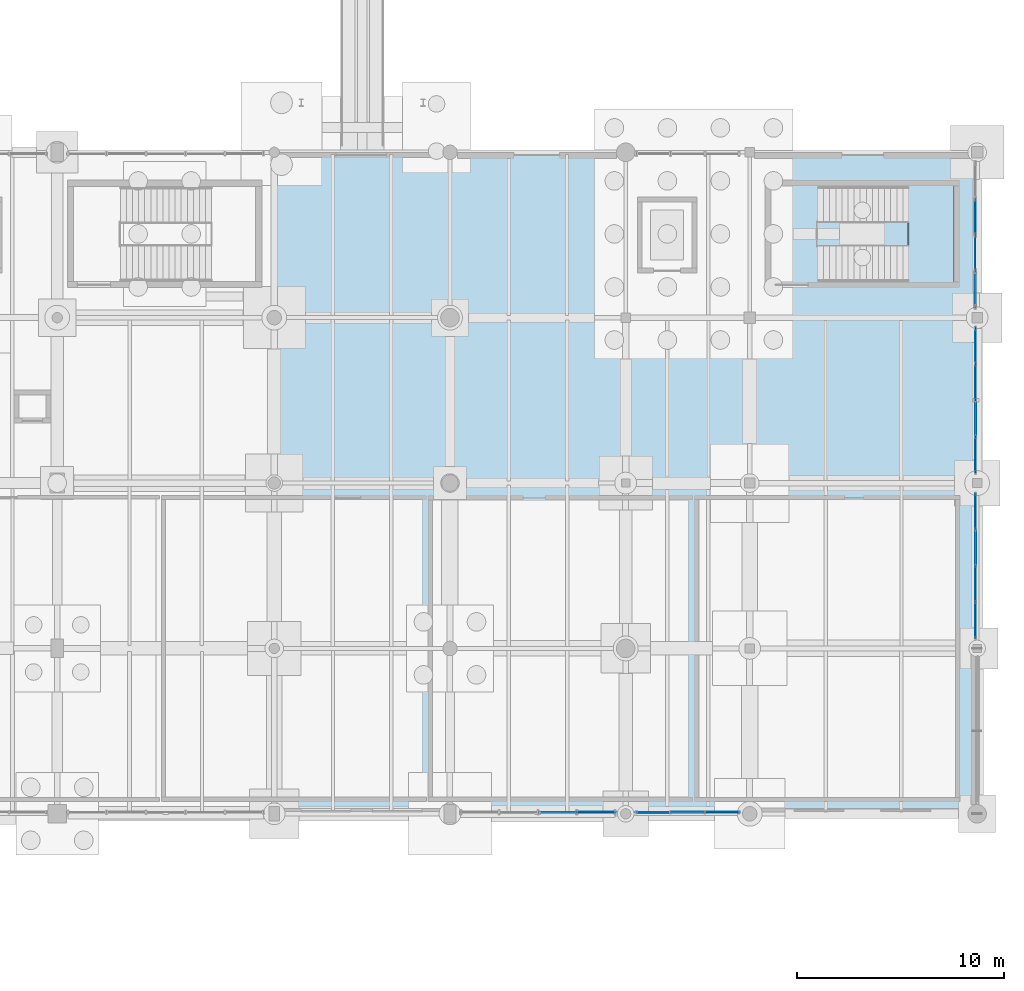
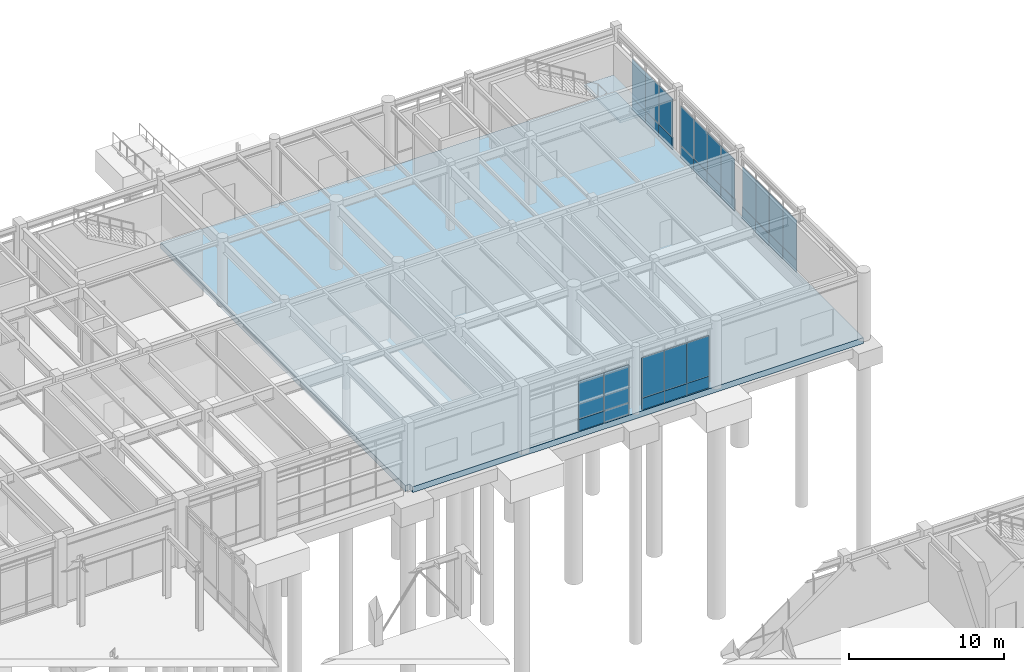
# One storey, part 161 of 203: 32 plates, 2 slabs, 6 elements without a shape of their own.
"""IFC4 building model written with IfcOpenShell, lengths in metres."""

from ifc_helpers import new_model, si_unit, direction, frame, origin, origin_2d, place, context, subcontext, project, spatial, polyline, rectangle, outline, extrude, material, layer, layer_set, type_object, element, aggregate, save


model = new_model("IFC4")

# Units and contexts
model_context = context("Model", 3, precision=1e-05, world=origin(), true_north=direction((0.0, 1.0)))
body_context = subcontext(model_context, "Body", "Model", "MODEL_VIEW")
ifc_project = project(units=[si_unit("LENGTHUNIT", "METRE"), si_unit("AREAUNIT", "SQUARE_METRE"), si_unit("VOLUMEUNIT", "CUBIC_METRE"), si_unit("PLANEANGLEUNIT", "RADIAN"), si_unit("MASSUNIT", "GRAM", prefix="KILO"), si_unit("THERMODYNAMICTEMPERATUREUNIT", "KELVIN"), si_unit("POWERUNIT", "WATT")], contexts=[model_context])

# Site, building, storey
site_placement = place(None, origin())
site = spatial("IfcSite", under=ifc_project, at=site_placement, CompositionType="ELEMENT")
building_placement = place(site_placement, origin())
building = spatial("IfcBuilding", under=site, at=building_placement, Name="Tepalcoro Natatorium and Aquatics Centre", CompositionType="ELEMENT")
storey_placement = place(building_placement, origin())
storey = spatial("IfcBuildingStorey", under=building, at=storey_placement, Name="L00", CompositionType="ELEMENT", Elevation=0.0)

# Curtain wall, plate
ifc_material_1 = material(Name="Bronze-Anodised Extruded Aluminium Alloy EN AW-6063 T6", Category="aluminium")
curtain_wall_type_1 = type_object("IfcCurtainWallType", Name="CW_LEAN_T1_EW", PredefinedType="USERDEFINED", material=ifc_material_1)
curtain_wall_1_placement = place(storey_placement, origin())
curtain_wall_1 = element("IfcCurtainWall", 1, at=curtain_wall_1_placement, inside=storey, type_object=curtain_wall_type_1, Name="V5 L00 S Unitised Curtain Wall Bay 7", ObjectType="FACETED SOLAR GLAZING", PredefinedType="USERDEFINED")
ifc_material_2 = material(Name="Solar-Control Bronze Tempered Low-E Double Glazing", Category="glass")
ifc_layer_1 = layer(ifc_material_2, 0.048095703125)
ifc_layer_set_1 = layer_set([ifc_layer_1], Name="Solar-Control Bronze Tempered Low-E Double Glazing")
plate_type_1 = type_object("IfcPlateType", Name="PL_ACOUSTIC_IGU_48", PredefinedType="CURTAIN_PANEL", material=ifc_layer_set_1)
plate_1_placement = place(storey_placement, frame((157.577392578125, 86.0712890625, 0.9599609375), z_axis=(0.0, 0.0, 1.0), x_axis=(1.0, 0.0, 0.0)))
plate_1 = element("IfcPlate", 2, at=plate_1_placement, type_object=plate_type_1, Name="CW_LEAN_T1_EW Insulated Glazing Unit", PredefinedType="CURTAIN_PANEL", context=body_context, shape_type="SweptSolid", body=[
    extrude(rectangle(XDim=1.864990234375, YDim=0.048095703125, at=origin_2d()), origin(), (0.0, 0.0, 1.0), 2.97802734375),
])

curtain_wall_type_2 = type_object("IfcCurtainWallType", Name="CW_LEAN_T2_NS", PredefinedType="USERDEFINED", material=ifc_material_1)
curtain_wall_2_placement = place(storey_placement, origin())
curtain_wall_2 = element("IfcCurtainWall", 3, at=curtain_wall_2_placement, inside=storey, type_object=curtain_wall_type_2, Name="V5 L00 S Unitised Curtain Wall Bay 8", ObjectType="FACETED SOLAR GLAZING", PredefinedType="USERDEFINED")
plate_2_placement = place(storey_placement, frame((163.679931640625, 86.076171875, 0.9599609375), z_axis=(0.0, 0.0, 1.0), x_axis=(1.0, 0.0, 0.0)))
plate_2 = element("IfcPlate", 4, at=plate_2_placement, type_object=plate_type_1, Name="CW_LEAN_T2_NS Insulated Glazing Unit", PredefinedType="CURTAIN_PANEL", context=body_context, shape_type="SweptSolid", body=[
    extrude(rectangle(XDim=1.659912109375, YDim=0.048095703125, at=origin_2d()), origin(), (0.0, 0.0, 1.0), 3.177001953125),
])

curtain_wall_3_placement = place(storey_placement, origin())
curtain_wall_3 = element("IfcCurtainWall", 5, at=curtain_wall_3_placement, inside=storey, type_object=curtain_wall_type_2, Name="V5 L00 E Unitised Curtain Wall Bay 2", ObjectType="FACETED SOLAR GLAZING", PredefinedType="USERDEFINED")
plate_3_placement = place(storey_placement, frame((175.923828125, 98.8798828125, 0.9599609375), z_axis=(0.0, 0.0, 1.0), x_axis=(1.0, 0.0, 0.0)))
plate_3 = element("IfcPlate", 6, at=plate_3_placement, type_object=plate_type_1, Name="CW_LEAN_T2_NS Insulated Glazing Unit", PredefinedType="CURTAIN_PANEL", context=body_context, shape_type="SweptSolid", body=[
    extrude(rectangle(XDim=0.048095703125, YDim=1.739990234375, at=origin_2d()), origin(), (0.0, 0.0, 1.0), 3.177001953125),
])

curtain_wall_type_3 = type_object("IfcCurtainWallType", Name="CW_LEAN_T2_EW", PredefinedType="USERDEFINED", material=ifc_material_1)
curtain_wall_4_placement = place(storey_placement, origin())
curtain_wall_4 = element("IfcCurtainWall", 7, at=curtain_wall_4_placement, inside=storey, type_object=curtain_wall_type_3, Name="V5 L00 E Unitised Curtain Wall Bay 3", ObjectType="FACETED SOLAR GLAZING", PredefinedType="USERDEFINED")
plate_4_placement = place(storey_placement, frame((175.923828125, 105.1201171875, 0.9599609375), z_axis=(0.0, 0.0, 1.0), x_axis=(1.0, 0.0, 0.0)))
plate_4 = element("IfcPlate", 8, at=plate_4_placement, type_object=plate_type_1, Name="CW_LEAN_T2_EW Insulated Glazing Unit", PredefinedType="CURTAIN_PANEL", context=body_context, shape_type="SweptSolid", body=[
    extrude(rectangle(XDim=0.048095703125, YDim=1.739990234375, at=origin_2d()), origin(), (0.0, 0.0, 1.0), 3.1298828125),
])

curtain_wall_type_4 = type_object("IfcCurtainWallType", Name="CW_V1_PLINTH", PredefinedType="USERDEFINED", material=ifc_material_1)
curtain_wall_5_placement = place(storey_placement, origin())
curtain_wall_5 = element("IfcCurtainWall", 9, at=curtain_wall_5_placement, inside=storey, type_object=curtain_wall_type_4, Name="V5 L00 E Unitised Curtain Wall Bay 4", ObjectType="UNITISED STOREFRONT", PredefinedType="USERDEFINED")
plate_5_placement = place(storey_placement, frame((175.909912109375, 111.360107421875, 0.9599609375), z_axis=(0.0, 0.0, 1.0), x_axis=(1.0, 0.0, 0.0)))
plate_5 = element("IfcPlate", 10, at=plate_5_placement, type_object=plate_type_1, Name="CW_V1_PLINTH Insulated Glazing Unit", PredefinedType="CURTAIN_PANEL", context=body_context, shape_type="SweptSolid", body=[
    extrude(rectangle(XDim=0.048095703125, YDim=1.739990234375, at=origin_2d()), origin(), (0.0, 0.0, 1.0), 3.053955078125),
])

# Plate
ifc_layer_2 = layer(ifc_material_2, 0.028076171875)
ifc_layer_set_2 = layer_set([ifc_layer_2], Name="Solar-Control Bronze Tempered Low-E Double Glazing")
plate_type_2 = type_object("IfcPlateType", Name="PL_BRONZE_IGU_28", PredefinedType="CURTAIN_PANEL", material=ifc_layer_set_2)
plate_6_placement = place(storey_placement, frame((155.6923828125, 86.0712890625, 0.9599609375), z_axis=(0.0, 0.0, 1.0), x_axis=(1.0, 0.0, 0.0)))
plate_6 = element("IfcPlate", 11, at=plate_6_placement, type_object=plate_type_2, Name="CW_LEAN_T1_EW Insulated Glazing Unit", PredefinedType="CURTAIN_PANEL", context=body_context, shape_type="SweptSolid", body=[
    extrude(rectangle(XDim=1.864990234375, YDim=0.028076171875, at=origin_2d()), origin(), (0.0, 0.0, 1.0), 2.97802734375),
])

plate_7_placement = place(storey_placement, frame((162.0, 86.076171875, 0.9599609375), z_axis=(0.0, 0.0, 1.0), x_axis=(1.0, 0.0, 0.0)))
plate_7 = element("IfcPlate", 12, at=plate_7_placement, type_object=plate_type_2, Name="CW_LEAN_T2_NS Insulated Glazing Unit", PredefinedType="CURTAIN_PANEL", context=body_context, shape_type="SweptSolid", body=[
    extrude(rectangle(XDim=1.659912109375, YDim=0.028076171875, at=origin_2d()), origin(), (0.0, 0.0, 1.0), 3.177001953125),
])

plate_8_placement = place(storey_placement, frame((175.923828125, 97.1201171875, 0.9599609375), z_axis=(0.0, 0.0, 1.0), x_axis=(1.0, 0.0, 0.0)))
plate_8 = element("IfcPlate", 13, at=plate_8_placement, type_object=plate_type_2, Name="CW_LEAN_T2_NS Insulated Glazing Unit", PredefinedType="CURTAIN_PANEL", context=body_context, shape_type="SweptSolid", body=[
    extrude(rectangle(XDim=0.028076171875, YDim=1.739990234375, at=origin_2d()), origin(), (0.0, 0.0, 1.0), 3.177001953125),
])

plate_9_placement = place(storey_placement, frame((175.923828125, 103.360107421875, 0.9599609375), z_axis=(0.0, 0.0, 1.0), x_axis=(1.0, 0.0, 0.0)))
plate_9 = element("IfcPlate", 14, at=plate_9_placement, type_object=plate_type_2, Name="CW_LEAN_T2_EW Insulated Glazing Unit", PredefinedType="CURTAIN_PANEL", context=body_context, shape_type="SweptSolid", body=[
    extrude(rectangle(XDim=0.028076171875, YDim=1.739990234375, at=origin_2d()), origin(), (0.0, 0.0, 1.0), 3.1298828125),
])

plate_10_placement = place(storey_placement, frame((175.923828125, 108.639892578125, 0.9599609375), z_axis=(0.0, 0.0, 1.0), x_axis=(1.0, 0.0, 0.0)))
plate_10 = element("IfcPlate", 15, at=plate_10_placement, type_object=plate_type_2, Name="CW_LEAN_T2_EW Insulated Glazing Unit", PredefinedType="CURTAIN_PANEL", context=body_context, shape_type="SweptSolid", body=[
    extrude(rectangle(XDim=0.028076171875, YDim=1.739990234375, at=origin_2d()), origin(), (0.0, 0.0, 1.0), 3.1298828125),
])

plate_11_placement = place(storey_placement, frame((175.909912109375, 114.8798828125, 0.9599609375), z_axis=(0.0, 0.0, 1.0), x_axis=(1.0, 0.0, 0.0)))
plate_11 = element("IfcPlate", 16, at=plate_11_placement, type_object=plate_type_2, Name="CW_V1_PLINTH Insulated Glazing Unit", PredefinedType="CURTAIN_PANEL", context=body_context, shape_type="SweptSolid", body=[
    extrude(rectangle(XDim=0.028076171875, YDim=1.739990234375, at=origin_2d()), origin(), (0.0, 0.0, 1.0), 3.053955078125),
])

ifc_material_3 = material(Name="Jalisco Cantera Rosa Volcanic Tuff Ashlar Masonry", Category="masonry")
ifc_layer_3 = layer(ifc_material_3, 0.090087890625)
ifc_layer_set_3 = layer_set([ifc_layer_3], Name="Jalisco Cantera Rosa Volcanic Tuff Ashlar Masonry")
plate_type_3 = type_object("IfcPlateType", Name="PL_CANTERA_90", PredefinedType="SHEET", material=ifc_layer_set_3)
plate_12_placement = place(storey_placement, frame((160.320068359375, 86.076171875, 0.044921875), z_axis=(0.0, 0.0, 1.0), x_axis=(1.0, 0.0, 0.0)))
plate_12 = element("IfcPlate", 17, at=plate_12_placement, type_object=plate_type_3, Name="CW_LEAN_T2_NS Spandrel & Screen Panel", PredefinedType="SHEET", context=body_context, shape_type="SweptSolid", body=[
    extrude(rectangle(XDim=1.659912109375, YDim=0.090087890625, at=origin_2d()), origin(), (0.0, 0.0, 1.0), 0.909912109375),
])

plate_13_placement = place(storey_placement, frame((175.923828125, 97.1201171875, 0.044921875), z_axis=(0.0, 0.0, 1.0), x_axis=(1.0, 0.0, 0.0)))
plate_13 = element("IfcPlate", 18, at=plate_13_placement, type_object=plate_type_3, Name="CW_LEAN_T2_NS Spandrel & Screen Panel", PredefinedType="SHEET", context=body_context, shape_type="SweptSolid", body=[
    extrude(rectangle(XDim=0.090087890625, YDim=1.739990234375, at=origin_2d()), origin(), (0.0, 0.0, 1.0), 0.909912109375),
])

plate_14_placement = place(storey_placement, frame((175.923828125, 103.360107421875, 0.044921875), z_axis=(0.0, 0.0, 1.0), x_axis=(1.0, 0.0, 0.0)))
plate_14 = element("IfcPlate", 19, at=plate_14_placement, type_object=plate_type_3, Name="CW_LEAN_T2_EW Spandrel & Screen Panel", PredefinedType="SHEET", context=body_context, shape_type="SweptSolid", body=[
    extrude(rectangle(XDim=0.090087890625, YDim=1.739990234375, at=origin_2d()), origin(), (0.0, 0.0, 1.0), 0.909912109375),
])

ifc_material_4 = material(Name="Clear Tempered Low-E Safety Glazing", Category="glass")
ifc_layer_4 = layer(ifc_material_4, 0.011962890625)
ifc_layer_set_4 = layer_set([ifc_layer_4], Name="Clear Tempered Low-E Safety Glazing")
plate_type_4 = type_object("IfcPlateType", Name="PL_GLASS_12", PredefinedType="CURTAIN_PANEL", material=ifc_layer_set_4)
plate_15_placement = place(storey_placement, frame((160.320068359375, 86.076171875, 0.9599609375), z_axis=(0.0, 0.0, 1.0), x_axis=(1.0, 0.0, 0.0)))
plate_15 = element("IfcPlate", 20, at=plate_15_placement, type_object=plate_type_4, Name="CW_LEAN_T2_NS Insulated Glazing Unit", PredefinedType="CURTAIN_PANEL", context=body_context, shape_type="SweptSolid", body=[
    extrude(rectangle(XDim=1.659912109375, YDim=0.011962890625, at=origin_2d()), origin(), (0.0, 0.0, 1.0), 3.177001953125),
])

plate_16_placement = place(storey_placement, frame((175.923828125, 95.360107421875, 0.9599609375), z_axis=(0.0, 0.0, 1.0), x_axis=(1.0, 0.0, 0.0)))
plate_16 = element("IfcPlate", 21, at=plate_16_placement, type_object=plate_type_4, Name="CW_LEAN_T2_NS Insulated Glazing Unit", PredefinedType="CURTAIN_PANEL", context=body_context, shape_type="SweptSolid", body=[
    extrude(rectangle(XDim=0.011962890625, YDim=1.739990234375, at=origin_2d()), origin(), (0.0, 0.0, 1.0), 3.177001953125),
])

plate_17_placement = place(storey_placement, frame((175.923828125, 100.639892578125, 0.9599609375), z_axis=(0.0, 0.0, 1.0), x_axis=(1.0, 0.0, 0.0)))
plate_17 = element("IfcPlate", 22, at=plate_17_placement, type_object=plate_type_4, Name="CW_LEAN_T2_NS Insulated Glazing Unit", PredefinedType="CURTAIN_PANEL", context=body_context, shape_type="SweptSolid", body=[
    extrude(rectangle(XDim=0.011962890625, YDim=1.739990234375, at=origin_2d()), origin(), (0.0, 0.0, 1.0), 3.177001953125),
])

plate_18_placement = place(storey_placement, frame((175.923828125, 106.8798828125, 0.9599609375), z_axis=(0.0, 0.0, 1.0), x_axis=(1.0, 0.0, 0.0)))
plate_18 = element("IfcPlate", 23, at=plate_18_placement, type_object=plate_type_4, Name="CW_LEAN_T2_EW Insulated Glazing Unit", PredefinedType="CURTAIN_PANEL", context=body_context, shape_type="SweptSolid", body=[
    extrude(rectangle(XDim=0.011962890625, YDim=1.739990234375, at=origin_2d()), origin(), (0.0, 0.0, 1.0), 3.1298828125),
])

plate_19_placement = place(storey_placement, frame((175.909912109375, 113.1201171875, 0.9599609375), z_axis=(0.0, 0.0, 1.0), x_axis=(1.0, 0.0, 0.0)))
plate_19 = element("IfcPlate", 24, at=plate_19_placement, type_object=plate_type_4, Name="CW_V1_PLINTH Insulated Glazing Unit", PredefinedType="CURTAIN_PANEL", context=body_context, shape_type="SweptSolid", body=[
    extrude(rectangle(XDim=0.011962890625, YDim=1.739990234375, at=origin_2d()), origin(), (0.0, 0.0, 1.0), 3.053955078125),
])

ifc_material_5 = material(Name="Volcanic Recinto Basalt Ashlar Masonry", Category="masonry")
ifc_layer_5 = layer(ifc_material_5, 0.110107421875)
ifc_layer_set_5 = layer_set([ifc_layer_5], Name="Volcanic Recinto Basalt Ashlar Masonry")
plate_type_5 = type_object("IfcPlateType", Name="PL_RECINTO_110", PredefinedType="SHEET", material=ifc_layer_set_5)
plate_20_placement = place(storey_placement, frame((155.6923828125, 86.0712890625, 0.044921875), z_axis=(0.0, 0.0, 1.0), x_axis=(1.0, 0.0, 0.0)))
plate_20 = element("IfcPlate", 25, at=plate_20_placement, type_object=plate_type_5, Name="CW_LEAN_T1_EW Spandrel & Screen Panel", PredefinedType="SHEET", context=body_context, shape_type="SweptSolid", body=[
    extrude(rectangle(XDim=1.864990234375, YDim=0.110107421875, at=origin_2d()), origin(), (0.0, 0.0, 1.0), 0.909912109375),
])

plate_21_placement = place(storey_placement, frame((162.0, 86.076171875, 0.044921875), z_axis=(0.0, 0.0, 1.0), x_axis=(1.0, 0.0, 0.0)))
plate_21 = element("IfcPlate", 26, at=plate_21_placement, type_object=plate_type_5, Name="CW_LEAN_T2_NS Spandrel & Screen Panel", PredefinedType="SHEET", context=body_context, shape_type="SweptSolid", body=[
    extrude(rectangle(XDim=1.659912109375, YDim=0.110107421875, at=origin_2d()), origin(), (0.0, 0.0, 1.0), 0.909912109375),
])

plate_22_placement = place(storey_placement, frame((175.923828125, 98.8798828125, 0.044921875), z_axis=(0.0, 0.0, 1.0), x_axis=(1.0, 0.0, 0.0)))
plate_22 = element("IfcPlate", 27, at=plate_22_placement, type_object=plate_type_5, Name="CW_LEAN_T2_NS Spandrel & Screen Panel", PredefinedType="SHEET", context=body_context, shape_type="SweptSolid", body=[
    extrude(rectangle(XDim=0.110107421875, YDim=1.739990234375, at=origin_2d()), origin(), (0.0, 0.0, 1.0), 0.909912109375),
])

plate_23_placement = place(storey_placement, frame((175.923828125, 105.1201171875, 0.044921875), z_axis=(0.0, 0.0, 1.0), x_axis=(1.0, 0.0, 0.0)))
plate_23 = element("IfcPlate", 28, at=plate_23_placement, type_object=plate_type_5, Name="CW_LEAN_T2_EW Spandrel & Screen Panel", PredefinedType="SHEET", context=body_context, shape_type="SweptSolid", body=[
    extrude(rectangle(XDim=0.110107421875, YDim=1.739990234375, at=origin_2d()), origin(), (0.0, 0.0, 1.0), 0.909912109375),
])

plate_24_placement = place(storey_placement, frame((175.909912109375, 111.360107421875, 0.044921875), z_axis=(0.0, 0.0, 1.0), x_axis=(1.0, 0.0, 0.0)))
plate_24 = element("IfcPlate", 29, at=plate_24_placement, type_object=plate_type_5, Name="CW_V1_PLINTH Spandrel & Screen Panel", PredefinedType="SHEET", context=body_context, shape_type="SweptSolid", body=[
    extrude(rectangle(XDim=0.110107421875, YDim=1.739990234375, at=origin_2d()), origin(), (0.0, 0.0, 1.0), 0.909912109375),
])

ifc_layer_6 = layer(ifc_material_1, 0.050048828125)
ifc_layer_set_6 = layer_set([ifc_layer_6], Name="Bronze-Anodised Extruded Aluminium Alloy EN AW-6063 T6")
plate_type_6 = type_object("IfcPlateType", Name="PL_SCREEN_50", PredefinedType="SHEET", material=ifc_layer_set_6)
plate_25_placement = place(storey_placement, frame((175.923828125, 108.639892578125, 0.044921875), z_axis=(0.0, 0.0, 1.0), x_axis=(1.0, 0.0, 0.0)))
plate_25 = element("IfcPlate", 30, at=plate_25_placement, type_object=plate_type_6, Name="CW_LEAN_T2_EW Spandrel & Screen Panel", PredefinedType="SHEET", context=body_context, shape_type="SweptSolid", body=[
    extrude(rectangle(XDim=0.050048828125, YDim=1.739990234375, at=origin_2d()), origin(), (0.0, 0.0, 1.0), 0.909912109375),
])

plate_26_placement = place(storey_placement, frame((175.909912109375, 114.8798828125, 0.044921875), z_axis=(0.0, 0.0, 1.0), x_axis=(1.0, 0.0, 0.0)))
plate_26 = element("IfcPlate", 31, at=plate_26_placement, type_object=plate_type_6, Name="CW_V1_PLINTH Spandrel & Screen Panel", PredefinedType="SHEET", context=body_context, shape_type="SweptSolid", body=[
    extrude(rectangle(XDim=0.050048828125, YDim=1.739990234375, at=origin_2d()), origin(), (0.0, 0.0, 1.0), 0.909912109375),
])

ifc_layer_7 = layer(ifc_material_1, 0.06005859375)
ifc_layer_set_7 = layer_set([ifc_layer_7], Name="Bronze-Anodised Extruded Aluminium Alloy EN AW-6063 T6")
plate_type_7 = type_object("IfcPlateType", Name="PL_SCREEN_60", PredefinedType="SHEET", material=ifc_layer_set_7)
plate_27_placement = place(storey_placement, frame((175.923828125, 95.360107421875, 0.044921875), z_axis=(0.0, 0.0, 1.0), x_axis=(1.0, 0.0, 0.0)))
plate_27 = element("IfcPlate", 32, at=plate_27_placement, type_object=plate_type_7, Name="CW_LEAN_T2_NS Spandrel & Screen Panel", PredefinedType="SHEET", context=body_context, shape_type="SweptSolid", body=[
    extrude(rectangle(XDim=0.06005859375, YDim=1.739990234375, at=origin_2d()), origin(), (0.0, 0.0, 1.0), 0.909912109375),
])

ifc_material_6 = material(Name="Insulated Bronze Anodised Aluminium Spandrel Panel", Category="aluminium")
ifc_layer_8 = layer(ifc_material_6, 0.070068359375)
ifc_layer_set_8 = layer_set([ifc_layer_8], Name="Insulated Bronze Anodised Aluminium Spandrel Panel")
plate_type_8 = type_object("IfcPlateType", Name="PL_SPANDREL_70", PredefinedType="CURTAIN_PANEL", material=ifc_layer_set_8)
plate_28_placement = place(storey_placement, frame((157.577392578125, 86.0712890625, 0.044921875), z_axis=(0.0, 0.0, 1.0), x_axis=(1.0, 0.0, 0.0)))
plate_28 = element("IfcPlate", 33, at=plate_28_placement, type_object=plate_type_8, Name="CW_LEAN_T1_EW Spandrel & Screen Panel", PredefinedType="CURTAIN_PANEL", context=body_context, shape_type="SweptSolid", body=[
    extrude(rectangle(XDim=1.864990234375, YDim=0.070068359375, at=origin_2d()), origin(), (0.0, 0.0, 1.0), 0.909912109375),
])

aggregate(curtain_wall_1, [plate_6, plate_20, plate_1, plate_28])

plate_29_placement = place(storey_placement, frame((163.679931640625, 86.076171875, 0.044921875), z_axis=(0.0, 0.0, 1.0), x_axis=(1.0, 0.0, 0.0)))
plate_29 = element("IfcPlate", 34, at=plate_29_placement, type_object=plate_type_8, Name="CW_LEAN_T2_NS Spandrel & Screen Panel", PredefinedType="CURTAIN_PANEL", context=body_context, shape_type="SweptSolid", body=[
    extrude(rectangle(XDim=1.659912109375, YDim=0.070068359375, at=origin_2d()), origin(), (0.0, 0.0, 1.0), 0.909912109375),
])

aggregate(curtain_wall_2, [plate_15, plate_12, plate_7, plate_21, plate_2, plate_29])

plate_30_placement = place(storey_placement, frame((175.923828125, 100.639892578125, 0.044921875), z_axis=(0.0, 0.0, 1.0), x_axis=(1.0, 0.0, 0.0)))
plate_30 = element("IfcPlate", 35, at=plate_30_placement, type_object=plate_type_8, Name="CW_LEAN_T2_NS Spandrel & Screen Panel", PredefinedType="CURTAIN_PANEL", context=body_context, shape_type="SweptSolid", body=[
    extrude(rectangle(XDim=0.070068359375, YDim=1.739990234375, at=origin_2d()), origin(), (0.0, 0.0, 1.0), 0.909912109375),
])

aggregate(curtain_wall_3, [plate_16, plate_27, plate_8, plate_13, plate_3, plate_22, plate_17, plate_30])

plate_31_placement = place(storey_placement, frame((175.923828125, 106.8798828125, 0.044921875), z_axis=(0.0, 0.0, 1.0), x_axis=(1.0, 0.0, 0.0)))
plate_31 = element("IfcPlate", 36, at=plate_31_placement, type_object=plate_type_8, Name="CW_LEAN_T2_EW Spandrel & Screen Panel", PredefinedType="CURTAIN_PANEL", context=body_context, shape_type="SweptSolid", body=[
    extrude(rectangle(XDim=0.070068359375, YDim=1.739990234375, at=origin_2d()), origin(), (0.0, 0.0, 1.0), 0.909912109375),
])

aggregate(curtain_wall_4, [plate_9, plate_14, plate_4, plate_23, plate_18, plate_31, plate_10, plate_25])

plate_32_placement = place(storey_placement, frame((175.909912109375, 113.1201171875, 0.044921875), z_axis=(0.0, 0.0, 1.0), x_axis=(1.0, 0.0, 0.0)))
plate_32 = element("IfcPlate", 37, at=plate_32_placement, type_object=plate_type_8, Name="CW_V1_PLINTH Spandrel & Screen Panel", PredefinedType="CURTAIN_PANEL", context=body_context, shape_type="SweptSolid", body=[
    extrude(rectangle(XDim=0.070068359375, YDim=1.739990234375, at=origin_2d()), origin(), (0.0, 0.0, 1.0), 0.909912109375),
])

aggregate(curtain_wall_5, [plate_5, plate_24, plate_19, plate_32, plate_11, plate_26])

# Slab
ifc_material_7 = material(Name="Concrete C40/50 (fc 40 MPa)", Category="concrete")
ifc_layer_9 = layer(ifc_material_7, 0.4599609375)
ifc_layer_set_9 = layer_set([ifc_layer_9], Name="Concrete C40/50 (fc 40 MPa)")
slab_type_1 = type_object("IfcSlabType", Name="SL_BASE_460", PredefinedType="BASESLAB", material=ifc_layer_set_9)
slab_1_placement = place(storey_placement, frame((0.0, 0.0, -0.4599609375)))
element("IfcSlab", 38, at=slab_1_placement, inside=storey, type_object=slab_type_1, Name="V5 L00 Natatorium and Civic Floor Slab E", PredefinedType="BASESLAB", context=body_context, shape_type="SweptSolid", body=[
    extrude(outline(polyline([(176.0, 118.0), (176.0, 86.0), (142.35009765625, 86.0), (142.35009765625, 86.35009765625), (142.0, 86.35009765625), (142.0, 118.0), (176.0, 118.0)])), origin(), (0.0, 0.0, 1.0), 0.4599609375),
])

# Stair, slab
ifc_material_8 = material(Name="Concrete C35/45 (fc 35 MPa)", Category="concrete")
stair_type = type_object("IfcStairType", Name="ST_RC_1800_L03", PredefinedType="HALF_TURN_STAIR", material=ifc_material_8)
stair_placement = place(storey_placement, origin())
stair = element("IfcStair", 39, at=stair_placement, inside=storey, type_object=stair_type, Name="Wellness & Broadcast East Fire Stair (L00 to L01)", PredefinedType="HALF_TURN_STAIR")
ifc_layer_10 = layer(ifc_material_8, 0.199951171875)
ifc_layer_set_10 = layer_set([ifc_layer_10], Name="Concrete C35/45 (fc 35 MPa)")
slab_type_2 = type_object("IfcSlabType", Name="SL_LANDING_200", PredefinedType="LANDING", material=ifc_layer_set_10)
slab_2_placement = place(storey_placement, frame((0.0, 0.0, 2.5)))
slab_2 = element("IfcSlab", 40, at=slab_2_placement, type_object=slab_type_2, Name="Wellness & Broadcast East Fire Stair (L00 to L01) Half-Landing", PredefinedType="LANDING", context=body_context, shape_type="SweptSolid", body=[
    extrude(outline(polyline([(172.6650390625, 111.7099609375), (174.889892578125, 111.7099609375), (174.889892578125, 116.389892578125), (172.6650390625, 116.389892578125), (172.6650390625, 111.7099609375)])), origin(), (0.0, 0.0, 1.0), 0.199951171875),
])
aggregate(stair, [slab_2])

save(model, "model.ifc")
